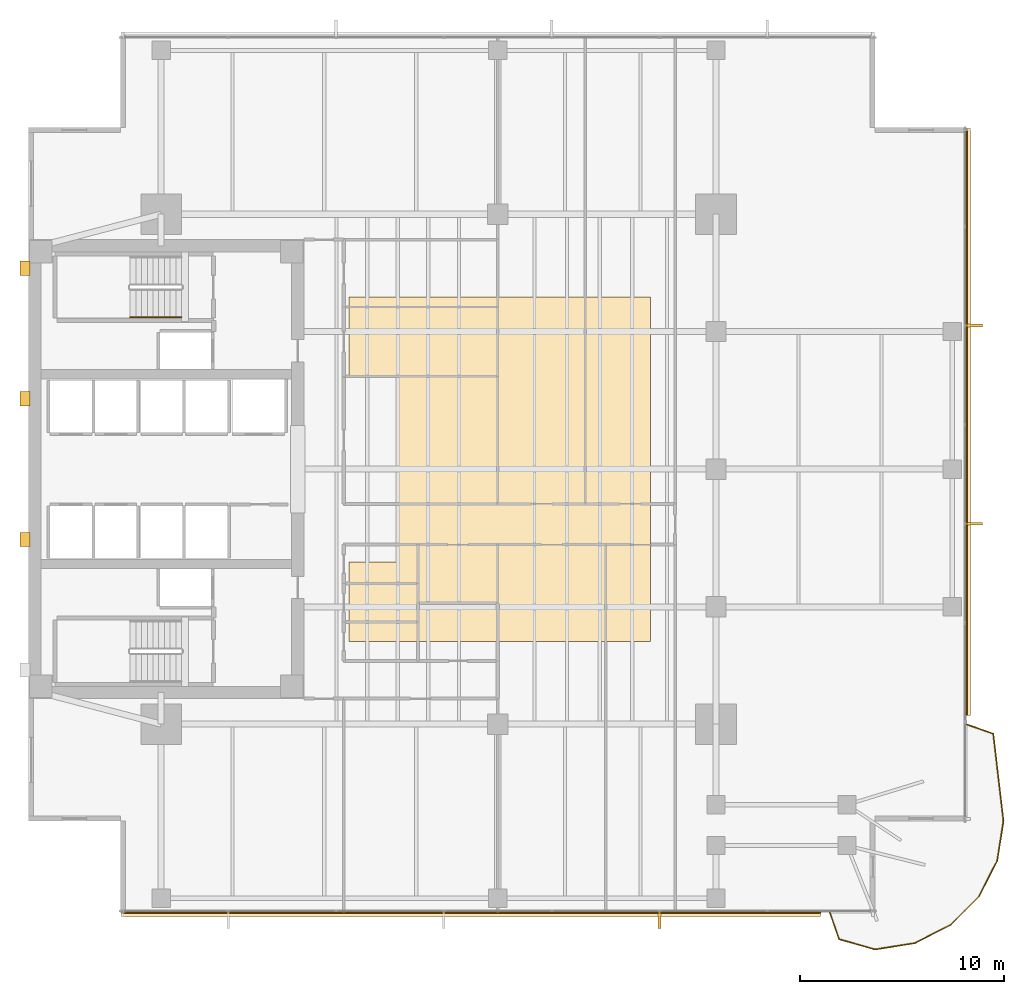
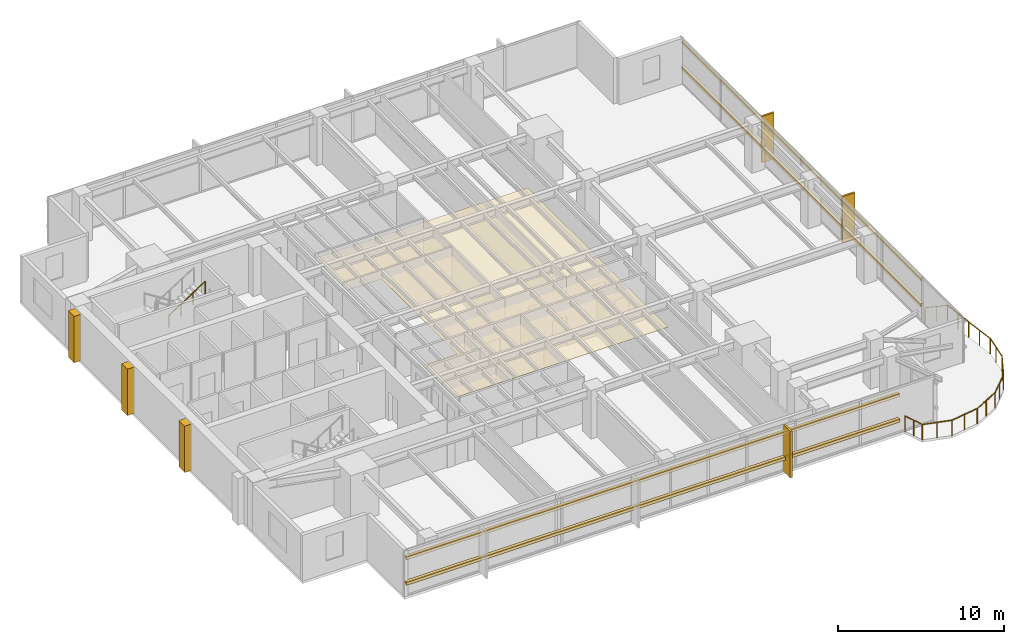
# One storey, part 12 of 14: 11 coverings, 10 railings, 4 shading devices.
"""IFC4 building model written with IfcOpenShell, lengths in metres."""

from ifc_helpers import new_model, si_unit, direction, frame, origin, origin_2d, place, context, subcontext, project, spatial, polyline, rectangle, circle, outline, extrude, material, layer, layer_set, material_profile, profile_set, type_object, element, save


model = new_model("IFC4")

# Units and contexts
model_context = context("Model", 3, precision=1e-05, world=origin(), true_north=direction((0.0, 1.0)))
body_context = subcontext(model_context, "Body", "Model", "MODEL_VIEW")
ifc_project = project(units=[si_unit("LENGTHUNIT", "METRE"), si_unit("AREAUNIT", "SQUARE_METRE"), si_unit("VOLUMEUNIT", "CUBIC_METRE"), si_unit("PLANEANGLEUNIT", "RADIAN"), si_unit("MASSUNIT", "GRAM", prefix="KILO")], contexts=[model_context])

# Site, building, storey
site_placement = place(None, origin())
site = spatial("IfcSite", under=ifc_project, at=site_placement, CompositionType="ELEMENT")
building_placement = place(site_placement, origin())
building = spatial("IfcBuilding", under=site, at=building_placement, Name="Kinhvarn Gate Tower", CompositionType="ELEMENT")
storey_placement = place(building_placement, frame((0.0, 0.0, 130.64990234375)))
storey = spatial("IfcBuildingStorey", under=building, at=storey_placement, Name="L34", CompositionType="ELEMENT", Elevation=130.64990234375)

# Coverings
ifc_material_1 = material(Name="Fired architectural terracotta", Category="masonry")
ifc_layer_1 = layer(ifc_material_1, 0.239990234375)
ifc_layer_set_1 = layer_set([ifc_layer_1], Name="Fired architectural terracotta")
covering_type_1 = type_object("IfcCoveringType", Name="COV-BAG-220", PredefinedType="CLADDING", material=ifc_layer_set_1)
for number, where, name in (
    (1, (0.0, 0.0, 0.940185546875), "Terracotta Horizontal Sunscreen Band TBG-220 (L34)"),
    (2, (0.0, 0.0, 2.81005859375), "Terracotta Horizontal Sunscreen Band TBG-220 (L34)"),
):
    element("IfcCovering", number, at=place(storey_placement, frame(where)), inside=storey, type_object=covering_type_1, Name=name, PredefinedType="CLADDING", context=body_context, shape_type="SweptSolid", body=[
        extrude(outline(polyline([(9.0400390625, 3.570068359375), (43.3330078125, 3.570068359375), (43.3330078125, 3.330078125), (9.0400390625, 3.330078125), (9.0400390625, 3.570068359375)])), origin(), (0.0, 0.0, 1.0), 0.219970703125),
    ])
for number, where, name in (
    (3, (0.0, 0.0, 0.940185546875), "Terracotta Horizontal Sunscreen Band TBG-220 (L34)"),
    (4, (0.0, 0.0, 2.81005859375), "Terracotta Horizontal Sunscreen Band TBG-220 (L34)"),
):
    element("IfcCovering", number, at=place(storey_placement, frame(where)), inside=storey, type_object=covering_type_1, Name=name, PredefinedType="CLADDING", context=body_context, shape_type="SweptSolid", body=[
        extrude(outline(polyline([(50.429931640625, 13.18310546875), (50.429931640625, 41.9599609375), (50.669921875, 41.9599609375), (50.669921875, 13.18310546875), (50.429931640625, 13.18310546875)])), origin(), (0.0, 0.0, 1.0), 0.219970703125),
    ])
ifc_material_2 = material(Name="Mineral-fibre acoustic ceiling tile")
ifc_layer_2 = layer(ifc_material_2, 0.02001953125)
ifc_layer_set_2 = layer_set([ifc_layer_2], Name="Mineral-fibre acoustic ceiling tile")
covering_type_2 = type_object("IfcCoveringType", Name="COV-CEIL-20", PredefinedType="CEILING", material=ifc_layer_set_2)
covering_1_placement = place(storey_placement, frame((0.0, 0.0, 2.650146484375)))
element("IfcCovering", 5, at=covering_1_placement, inside=storey, type_object=covering_type_2, Name="Suspended Acoustic Ceiling Tile (L34-1)", PredefinedType="CEILING", context=body_context, shape_type="SweptSolid", body=[
    extrude(outline(polyline([(35.0, 33.699951171875), (35.0, 16.800048828125), (20.199951171875, 16.800048828125), (20.199951171875, 20.699951171875), (22.60009765625, 20.699951171875), (22.60009765625, 29.800048828125), (20.199951171875, 29.800048828125), (20.199951171875, 33.699951171875), (35.0, 33.699951171875)])), origin(), (0.0, 0.0, 1.0), 0.02001953125),
])
ifc_layer_3 = layer(ifc_material_1, 0.139892578125)
ifc_layer_set_3 = layer_set([ifc_layer_3], Name="Fired architectural terracotta")
covering_type_3 = type_object("IfcCoveringType", Name="COV-FIN-850", PredefinedType="CLADDING", material=ifc_layer_set_3)
covering_2_placement = place(storey_placement, frame((0.0, 0.0, -0.02001953125)))
element("IfcCovering", 6, at=covering_2_placement, inside=storey, type_object=covering_type_3, Name="Vertical Terracotta Expressive Fin TFN-850 (L34)", PredefinedType="CLADDING", context=body_context, shape_type="SweptSolid", body=[
    extrude(outline(polyline([(35.358642578125, 3.580078125), (35.49853515625, 3.580078125), (35.49853515625, 2.72998046875), (35.358642578125, 2.72998046875), (35.358642578125, 3.580078125)])), origin(), (0.0, 0.0, 1.0), 3.41015625),
])
covering_3_placement = place(storey_placement, frame((0.0, 0.0, -0.02001953125)))
element("IfcCovering", 7, at=covering_3_placement, inside=storey, type_object=covering_type_3, Name="Vertical Terracotta Expressive Fin TFN-850 (L34)", PredefinedType="CLADDING", context=body_context, shape_type="SweptSolid", body=[
    extrude(outline(polyline([(50.419921875, 22.50146484375), (50.419921875, 22.641357421875), (51.27001953125, 22.641357421875), (51.27001953125, 22.50146484375), (50.419921875, 22.50146484375)])), origin(), (0.0, 0.0, 1.0), 3.41015625),
])
covering_4_placement = place(storey_placement, frame((0.0, 0.0, -0.02001953125)))
element("IfcCovering", 8, at=covering_4_placement, inside=storey, type_object=covering_type_3, Name="Vertical Terracotta Expressive Fin TFN-850 (L34)", PredefinedType="CLADDING", context=body_context, shape_type="SweptSolid", body=[
    extrude(outline(polyline([(50.419921875, 32.2158203125), (50.419921875, 32.355712890625), (51.27001953125, 32.355712890625), (51.27001953125, 32.2158203125), (50.419921875, 32.2158203125)])), origin(), (0.0, 0.0, 1.0), 3.41015625),
])
ifc_material_3 = material(Name="Precast white architectural concrete C40/50", Category="concrete")
ifc_layer_4 = layer(ifc_material_3, 0.47998046875)
ifc_layer_set_4 = layer_set([ifc_layer_4], Name="Precast white architectural concrete C40/50")
covering_type_4 = type_object("IfcCoveringType", Name="COV-RIB-450", PredefinedType="CLADDING", material=ifc_layer_set_4)
covering_5_placement = place(storey_placement, frame((0.0, 0.0, -0.02001953125)))
element("IfcCovering", 9, at=covering_5_placement, inside=storey, type_object=covering_type_4, Name="West Core Sculptural Concrete Relief Rib CRB-450 (L34)", PredefinedType="CLADDING", context=body_context, shape_type="SweptSolid", body=[
    extrude(outline(polyline([(4.080078125, 21.449951171875), (4.56005859375, 21.449951171875), (4.56005859375, 22.14990234375), (4.080078125, 22.14990234375), (4.080078125, 21.449951171875)])), origin(), (0.0, 0.0, 1.0), 3.41015625),
])
covering_6_placement = place(storey_placement, frame((0.0, 0.0, -0.02001953125)))
element("IfcCovering", 10, at=covering_6_placement, inside=storey, type_object=covering_type_4, Name="West Core Sculptural Concrete Relief Rib CRB-450 (L34)", PredefinedType="CLADDING", context=body_context, shape_type="SweptSolid", body=[
    extrude(outline(polyline([(4.080078125, 28.35009765625), (4.56005859375, 28.35009765625), (4.56005859375, 29.050048828125), (4.080078125, 29.050048828125), (4.080078125, 28.35009765625)])), origin(), (0.0, 0.0, 1.0), 3.41015625),
])
covering_7_placement = place(storey_placement, frame((0.0, 0.0, -0.02001953125)))
element("IfcCovering", 11, at=covering_7_placement, inside=storey, type_object=covering_type_4, Name="West Core Sculptural Concrete Relief Rib CRB-450 (L34)", PredefinedType="CLADDING", context=body_context, shape_type="SweptSolid", body=[
    extrude(outline(polyline([(4.080078125, 34.75), (4.56005859375, 34.75), (4.56005859375, 35.449951171875), (4.080078125, 35.449951171875), (4.080078125, 34.75)])), origin(), (0.0, 0.0, 1.0), 3.41015625),
])

# Railings
ifc_material_4 = material(Name="Clear low-e double glazing", Category="glass")
railing_type_1 = type_object("IfcRailingType", Name="RL-BAL-1150", PredefinedType="BALUSTRADE", material=ifc_material_4)
railing_1_placement = place(storey_placement, frame((43.782958984375, 3.5, 0.0)))
element("IfcRailing", 12, at=railing_1_placement, inside=storey, type_object=railing_type_1, Name="S-Carve Balcony Guardrail Seg 1 (L34)", PredefinedType="BALUSTRADE", context=body_context, shape_type="SweptSolid", body=[
    extrude(circle(Radius=0.02392578125, at=origin_2d()), frame((0.0, 0.0, 1.1259765625), z_axis=(0.328776619058, -0.944407716382, 0.0), x_axis=(0.944407716382, 0.328776619058, 0.0)), (0.0, 0.0, 1.0), 1.36865234375),
    extrude(circle(Radius=0.02099609375, at=origin_2d()), origin(), (0.0, 0.0, 1.0), 1.101806640625),
    extrude(circle(Radius=0.02099609375, at=origin_2d()), frame((0.22509765625, -0.646240234375, 0.0)), (0.0, 0.0, 1.0), 1.101806640625),
    extrude(circle(Radius=0.02099609375, at=origin_2d()), frame((0.449951171875, -1.29248046875, 0.0)), (0.0, 0.0, 1.0), 1.101806640625),
])
railing_2_placement = place(storey_placement, frame((44.23291015625, 2.20751953125, 0.0)))
element("IfcRailing", 13, at=railing_2_placement, inside=storey, type_object=railing_type_1, Name="S-Carve Balcony Guardrail Seg 2 (L34)", PredefinedType="BALUSTRADE", context=body_context, shape_type="SweptSolid", body=[
    extrude(circle(Radius=0.02392578125, at=origin_2d()), frame((0.0, 0.0, 1.1259765625), z_axis=(0.961874198843, -0.27349227704, 0.0), x_axis=(0.27349227704, 0.961874198843, 0.0)), (0.0, 0.0, 1.0), 1.837158203125),
    extrude(circle(Radius=0.02099609375, at=origin_2d()), origin(), (0.0, 0.0, 1.0), 1.101806640625),
    extrude(circle(Radius=0.02099609375, at=origin_2d()), frame((0.883544921875, -0.251220703125, 0.0)), (0.0, 0.0, 1.0), 1.101806640625),
    extrude(circle(Radius=0.02099609375, at=origin_2d()), frame((1.76708984375, -0.50244140625, 0.0)), (0.0, 0.0, 1.0), 1.101806640625),
])
railing_3_placement = place(storey_placement, frame((46.0, 1.705078125, 0.0)))
element("IfcRailing", 14, at=railing_3_placement, inside=storey, type_object=railing_type_1, Name="S-Carve Balcony Guardrail Seg 3 (L34)", PredefinedType="BALUSTRADE", context=body_context, shape_type="SweptSolid", body=[
    extrude(circle(Radius=0.02392578125, at=origin_2d()), frame((0.0, 0.0, 1.1259765625), z_axis=(0.987688478885, 0.156433591912, 0.0), x_axis=(-0.156433591912, 0.987688478885, 0.0)), (0.0, 0.0, 1.0), 1.969482421875),
    extrude(circle(Radius=0.02099609375, at=origin_2d()), origin(), (0.0, 0.0, 1.0), 1.101806640625),
    extrude(circle(Radius=0.02099609375, at=origin_2d()), frame((0.97265625, 0.154052734375, 0.0)), (0.0, 0.0, 1.0), 1.101806640625),
    extrude(circle(Radius=0.02099609375, at=origin_2d()), frame((1.9453125, 0.30810546875, 0.0)), (0.0, 0.0, 1.0), 1.101806640625),
])
railing_4_placement = place(storey_placement, frame((47.9453125, 2.01318359375, 0.0)))
element("IfcRailing", 15, at=railing_4_placement, inside=storey, type_object=railing_type_1, Name="S-Carve Balcony Guardrail Seg 4 (L34)", PredefinedType="BALUSTRADE", context=body_context, shape_type="SweptSolid", body=[
    extrude(circle(Radius=0.02392578125, at=origin_2d()), frame((0.0, 0.0, 1.1259765625), z_axis=(0.891030036686, 0.45394435091, 0.0), x_axis=(-0.45394435091, 0.891030036686, 0.0)), (0.0, 0.0, 1.0), 1.969482421875),
    extrude(circle(Radius=0.02099609375, at=origin_2d()), origin(), (0.0, 0.0, 1.0), 1.101806640625),
    extrude(circle(Radius=0.02099609375, at=origin_2d()), frame((0.87744140625, 0.447021484375, 0.0)), (0.0, 0.0, 1.0), 1.101806640625),
    extrude(circle(Radius=0.02099609375, at=origin_2d()), frame((1.7548828125, 0.89404296875, 0.0)), (0.0, 0.0, 1.0), 1.101806640625),
])
railing_5_placement = place(storey_placement, frame((49.7001953125, 2.9072265625, 0.0)))
element("IfcRailing", 16, at=railing_5_placement, inside=storey, type_object=railing_type_1, Name="S-Carve Balcony Guardrail Seg 5 (L34)", PredefinedType="BALUSTRADE", context=body_context, shape_type="SweptSolid", body=[
    extrude(circle(Radius=0.02392578125, at=origin_2d()), frame((0.0, 0.0, 1.1259765625), z_axis=(0.707106781187, 0.707106781187, 0.0), x_axis=(-0.707106781187, 0.707106781187, 0.0)), (0.0, 0.0, 1.0), 1.969482421875),
    extrude(circle(Radius=0.02099609375, at=origin_2d()), origin(), (0.0, 0.0, 1.0), 1.101806640625),
    extrude(circle(Radius=0.02099609375, at=origin_2d()), frame((0.6962890625, 0.6962890625, 0.0)), (0.0, 0.0, 1.0), 1.101806640625),
    extrude(circle(Radius=0.02099609375, at=origin_2d()), frame((1.392578125, 1.392578125, 0.0)), (0.0, 0.0, 1.0), 1.101806640625),
])
railing_6_placement = place(storey_placement, frame((51.0927734375, 4.2998046875, 0.0)))
element("IfcRailing", 17, at=railing_6_placement, inside=storey, type_object=railing_type_1, Name="S-Carve Balcony Guardrail Seg 6 (L34)", PredefinedType="BALUSTRADE", context=body_context, shape_type="SweptSolid", body=[
    extrude(circle(Radius=0.02392578125, at=origin_2d()), frame((0.0, 0.0, 1.1259765625), z_axis=(0.45394435091, 0.891030036686, 0.0), x_axis=(-0.891030036686, 0.45394435091, 0.0)), (0.0, 0.0, 1.0), 1.969482421875),
    extrude(circle(Radius=0.02099609375, at=origin_2d()), origin(), (0.0, 0.0, 1.0), 1.101806640625),
    extrude(circle(Radius=0.02099609375, at=origin_2d()), frame((0.447021484375, 0.87744140625, 0.0)), (0.0, 0.0, 1.0), 1.101806640625),
    extrude(circle(Radius=0.02099609375, at=origin_2d()), frame((0.89404296875, 1.7548828125, 0.0)), (0.0, 0.0, 1.0), 1.101806640625),
])
railing_7_placement = place(storey_placement, frame((51.98681640625, 6.0546875, 0.0)))
element("IfcRailing", 18, at=railing_7_placement, inside=storey, type_object=railing_type_1, Name="S-Carve Balcony Guardrail Seg 7 (L34)", PredefinedType="BALUSTRADE", context=body_context, shape_type="SweptSolid", body=[
    extrude(circle(Radius=0.02392578125, at=origin_2d()), frame((0.0, 0.0, 1.1259765625), z_axis=(0.156433591912, 0.987688478885, 0.0), x_axis=(-0.987688478885, 0.156433591912, 0.0)), (0.0, 0.0, 1.0), 1.969482421875),
    extrude(circle(Radius=0.02099609375, at=origin_2d()), origin(), (0.0, 0.0, 1.0), 1.101806640625),
    extrude(circle(Radius=0.02099609375, at=origin_2d()), frame((0.154052734375, 0.97265625, 0.0)), (0.0, 0.0, 1.0), 1.101806640625),
    extrude(circle(Radius=0.02099609375, at=origin_2d()), frame((0.30810546875, 1.9453125, 0.0)), (0.0, 0.0, 1.0), 1.101806640625),
])
railing_8_placement = place(storey_placement, frame((52.294921875, 8.0, 0.0)))
element("IfcRailing", 19, at=railing_8_placement, inside=storey, type_object=railing_type_1, Name="S-Carve Balcony Guardrail Seg 8 (L34)", PredefinedType="BALUSTRADE", context=body_context, shape_type="SweptSolid", body=[
    extrude(circle(Radius=0.02392578125, at=origin_2d()), frame((0.0, 0.0, 1.1259765625), z_axis=(-0.116512760805, 0.993189194751, 0.0), x_axis=(-0.993189194751, -0.116512760805, 0.0)), (0.0, 0.0, 1.0), 4.312255859375),
    extrude(circle(Radius=0.02099609375, at=origin_2d()), origin(), (0.0, 0.0, 1.0), 1.101806640625),
    extrude(circle(Radius=0.02099609375, at=origin_2d()), frame((-0.12548828125, 1.07080078125, 0.0)), (0.0, 0.0, 1.0), 1.101806640625),
    extrude(circle(Radius=0.02099609375, at=origin_2d()), frame((-0.251220703125, 2.1416015625, 0.0)), (0.0, 0.0, 1.0), 1.101806640625),
    extrude(circle(Radius=0.02099609375, at=origin_2d()), frame((-0.376953125, 3.212158203125, 0.0)), (0.0, 0.0, 1.0), 1.101806640625),
    extrude(circle(Radius=0.02099609375, at=origin_2d()), frame((-0.50244140625, 4.282958984375, 0.0)), (0.0, 0.0, 1.0), 1.101806640625),
])
railing_9_placement = place(storey_placement, frame((51.79248046875, 12.282958984375, 0.0)))
element("IfcRailing", 20, at=railing_9_placement, inside=storey, type_object=railing_type_1, Name="S-Carve Balcony Guardrail Seg 9 (L34)", PredefinedType="BALUSTRADE", context=body_context, shape_type="SweptSolid", body=[
    extrude(circle(Radius=0.02392578125, at=origin_2d()), frame((0.0, 0.0, 1.1259765625), z_axis=(-0.944407716382, 0.328776619058, 0.0), x_axis=(-0.328776619058, -0.944407716382, 0.0)), (0.0, 0.0, 1.0), 1.36865234375),
    extrude(circle(Radius=0.02099609375, at=origin_2d()), origin(), (0.0, 0.0, 1.0), 1.101806640625),
    extrude(circle(Radius=0.02099609375, at=origin_2d()), frame((-0.646240234375, 0.22509765625, 0.0)), (0.0, 0.0, 1.0), 1.101806640625),
    extrude(circle(Radius=0.02099609375, at=origin_2d()), frame((-1.29248046875, 0.449951171875, 0.0)), (0.0, 0.0, 1.0), 1.101806640625),
])
ifc_material_5 = material(Name="Steel S355", Category="steel")
railing_type_2 = type_object("IfcRailingType", Name="RL-ST-HND", PredefinedType="HANDRAIL", material=ifc_material_5)
railing_10_placement = place(storey_placement, frame((9.47998046875, 32.699951171875, 1.95263671875)))
element("IfcRailing", 21, at=railing_10_placement, inside=storey, type_object=railing_type_2, Name="L34 ST2 stair handrail 2", PredefinedType="HANDRAIL", context=body_context, shape_type="SweptSolid", body=[
    extrude(circle(Radius=0.02392578125, at=origin_2d()), frame((0.0, 0.0, 0.8759765625), z_axis=(0.84460694969, 0.0, 0.535386869969), x_axis=(0.0, 1.0, 0.0)), (0.0, 0.0, 1.0), 2.983642578125),
    extrude(circle(Radius=0.02099609375, at=origin_2d()), origin(), (0.0, 0.0, 1.0), 0.851806640625),
    extrude(circle(Radius=0.02099609375, at=origin_2d()), frame((0.840087890625, 0.0, 0.532470703125)), (0.0, 0.0, 1.0), 0.851806640625),
    extrude(circle(Radius=0.02099609375, at=origin_2d()), frame((1.679931640625, 0.0, 1.06494140625)), (0.0, 0.0, 1.0), 0.851806640625),
    extrude(circle(Radius=0.02099609375, at=origin_2d()), frame((2.52001953125, 0.0, 1.597412109375)), (0.0, 0.0, 1.0), 0.851806640625),
])

# Shading devices
ifc_material_profile = material_profile(ifc_material_1, rectangle(XDim=0.050048828125, YDim=0.1201171875, at=origin_2d()), Name="TC 50x120")
ifc_profile_set = profile_set([ifc_material_profile], Name="Fired architectural terracotta")
shading_device_type = type_object("IfcShadingDeviceType", Name="SHD-BAG-140", PredefinedType="USERDEFINED", material=ifc_profile_set)
for number, where, z_axis, x_axis, name in (
    (22, (9.0400390625, 3.5, 1.050048828125), (1.0, 0.0, 0.0), (0.0, 1.0, 0.0), "Upper Tower Terracotta Baguette Screen Rod 50x120 mm (L34)"),
    (23, (9.0400390625, 3.5, 2.920166015625), (1.0, 0.0, 0.0), (0.0, 1.0, 0.0), "Upper Tower Terracotta Baguette Screen Rod 50x120 mm (L34)"),
):
    element("IfcShadingDevice", number, at=place(storey_placement, frame(where, z_axis=z_axis, x_axis=x_axis)), inside=storey, type_object=shading_device_type, Name=name, ObjectType="BAGUETTE", PredefinedType="USERDEFINED", context=body_context, shape_type="SweptSolid", body=[
        extrude(rectangle(XDim=0.050048828125, YDim=0.1201171875, at=origin_2d()), origin(), (0.0, 0.0, 1.0), 34.29296875),
    ])
for number, where, z_axis, x_axis, name in (
    (24, (50.5, 13.18310546875, 1.050048828125), (0.0, 1.0, 0.0), (-1.0, 0.0, 0.0), "Upper Tower Terracotta Baguette Screen Rod 50x120 mm (L34)"),
    (25, (50.5, 13.18310546875, 2.920166015625), (0.0, 1.0, 0.0), (-1.0, 0.0, 0.0), "Upper Tower Terracotta Baguette Screen Rod 50x120 mm (L34)"),
):
    element("IfcShadingDevice", number, at=place(storey_placement, frame(where, z_axis=z_axis, x_axis=x_axis)), inside=storey, type_object=shading_device_type, Name=name, ObjectType="BAGUETTE", PredefinedType="USERDEFINED", context=body_context, shape_type="SweptSolid", body=[
        extrude(rectangle(XDim=0.050048828125, YDim=0.1201171875, at=origin_2d()), origin(), (0.0, 0.0, 1.0), 28.77685546875),
    ])

save(model, "model.ifc")
